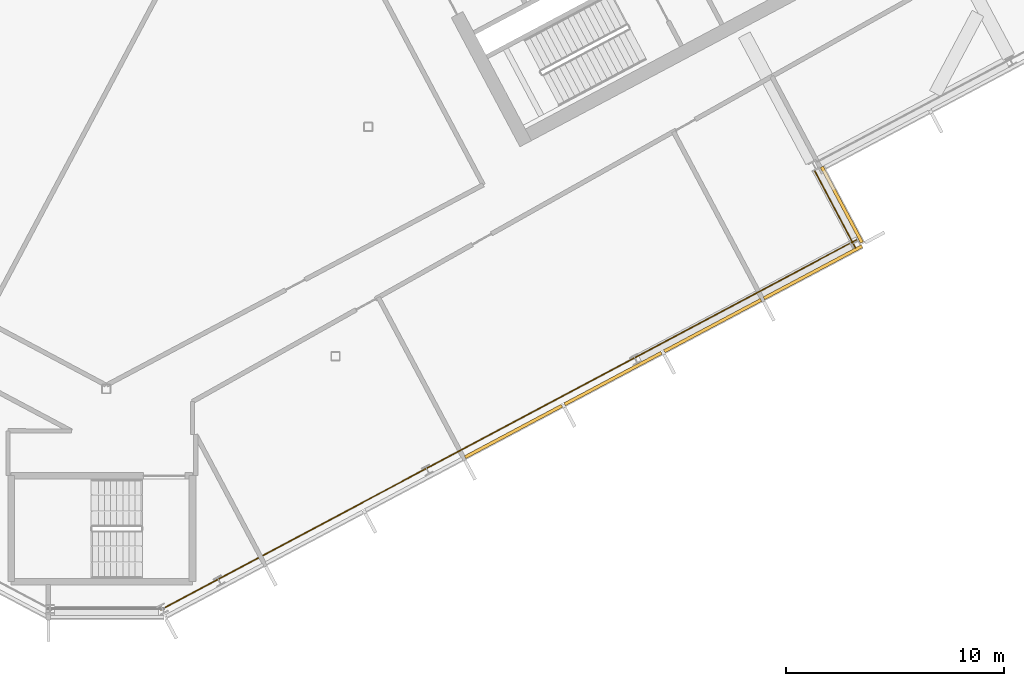
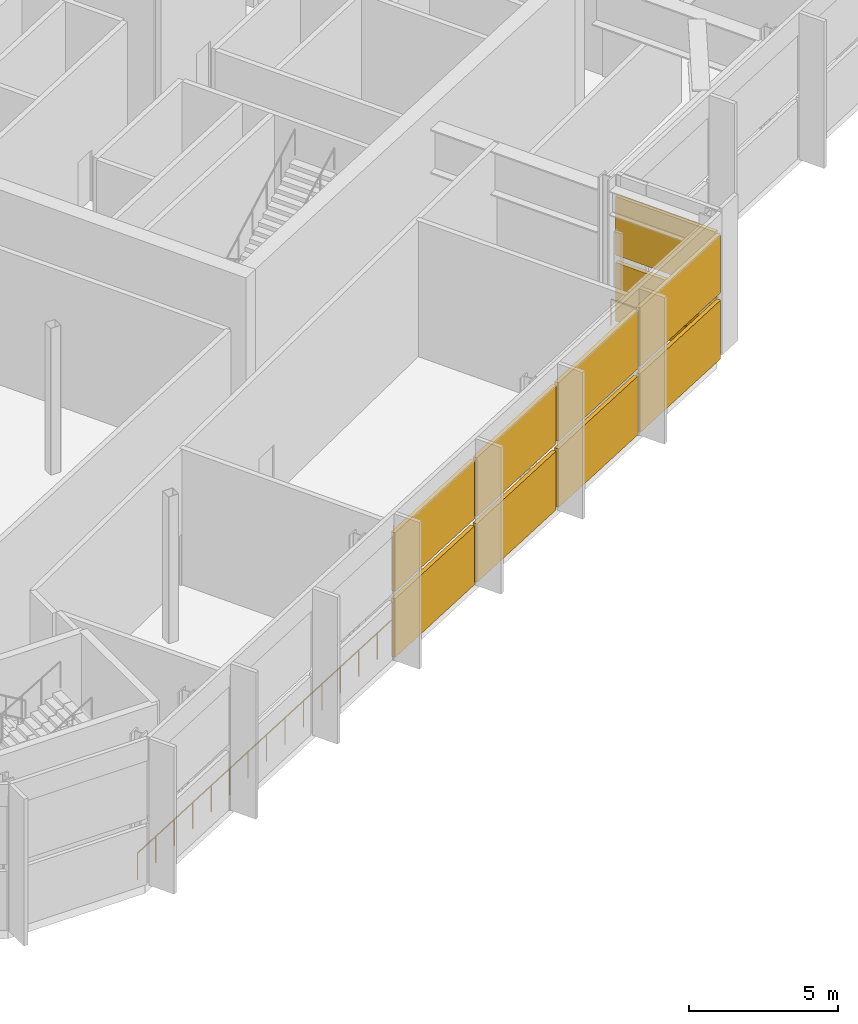
# One storey, part 29 of 33: 10 shading devices, 2 railings, 2 elements without a shape of their own.
"""IFC4 building model written with IfcOpenShell, lengths in metres."""

from ifc_helpers import new_model, si_unit, direction, frame, origin, origin_2d, place, context, subcontext, project, spatial, polyline, rectangle, outline, extrude, material, layer, layer_set, type_object, element, aggregate, save


model = new_model("IFC4")

# Units and contexts
model_context = context("Model", 3, precision=1e-05, world=origin(), true_north=direction((0.0, 1.0)))
body_context = subcontext(model_context, "Body", "Model", "MODEL_VIEW")
ifc_project = project(units=[si_unit("LENGTHUNIT", "METRE"), si_unit("AREAUNIT", "SQUARE_METRE"), si_unit("VOLUMEUNIT", "CUBIC_METRE"), si_unit("PLANEANGLEUNIT", "RADIAN"), si_unit("MASSUNIT", "GRAM", prefix="KILO")], contexts=[model_context])

# Site, building, storey
site_placement = place(None, origin())
site = spatial("IfcSite", under=ifc_project, at=site_placement, CompositionType="ELEMENT")
building_placement = place(site_placement, origin())
building = spatial("IfcBuilding", under=site, at=building_placement, Name="Cormorant Relay Tower", CompositionType="ELEMENT")
storey_placement = place(building_placement, frame((0.0, 0.0, 252.0)))
storey = spatial("IfcBuildingStorey", under=building, at=storey_placement, Name="L56", CompositionType="ELEMENT", Elevation=252.0)

# Railings
ifc_material_1 = material(Name="Stainless steel 316 guard", Category="steel")
railing_type = type_object("IfcRailingType", Name="Band louvre guard 1100", PredefinedType="GUARDRAIL", material=ifc_material_1)
railing_1_placement = place(storey_placement, frame((2.508056640625, -22.110595703125, 0.0)))
element("IfcRailing", 1, at=railing_1_placement, inside=storey, type_object=railing_type, Name="CW4 guard 2", PredefinedType="GUARDRAIL", context=body_context, shape_type="SweptSolid", body=[
    extrude(outline(polyline([(0.022216796875, 0.00927734375), (0.00927734375, 0.022216796875), (-0.00927734375, 0.022216796875), (-0.022216796875, 0.00927734375), (-0.022216796875, -0.00927734375), (-0.00927734375, -0.022216796875), (0.00927734375, -0.022216796875), (0.022216796875, -0.00927734375), (0.022216796875, 0.00927734375)])), frame((0.0, 0.0, 1.076171875), z_axis=(0.882948899141, 0.469469106018, 0.0), x_axis=(-0.469469106018, 0.882948899141, 0.0)), (0.0, 0.0, 1.0), 36.165771484375),
    extrude(outline(polyline([(0.019287109375, 0.008056640625), (0.008056640625, 0.019287109375), (-0.008056640625, 0.019287109375), (-0.019287109375, 0.008056640625), (-0.019287109375, -0.008056640625), (-0.008056640625, -0.019287109375), (0.008056640625, -0.019287109375), (0.019287109375, -0.008056640625), (0.019287109375, 0.008056640625)])), origin(), (0.0, 0.0, 1.0), 1.052001953125),
    extrude(outline(polyline([(0.019287109375, 0.008056640625), (0.008056640625, 0.019287109375), (-0.008056640625, 0.019287109375), (-0.019287109375, 0.008056640625), (-0.019287109375, -0.008056640625), (-0.008056640625, -0.019287109375), (0.008056640625, -0.019287109375), (0.019287109375, -0.008056640625), (0.019287109375, 0.008056640625)])), frame((1.030029296875, 0.547607421875, 0.0)), (0.0, 0.0, 1.0), 1.052001953125),
    extrude(outline(polyline([(0.019287109375, 0.008056640625), (0.008056640625, 0.019287109375), (-0.008056640625, 0.019287109375), (-0.019287109375, 0.008056640625), (-0.019287109375, -0.008056640625), (-0.008056640625, -0.019287109375), (0.008056640625, -0.019287109375), (0.019287109375, -0.008056640625), (0.019287109375, 0.008056640625)])), frame((2.06005859375, 1.095458984375, 0.0)), (0.0, 0.0, 1.0), 1.052001953125),
    extrude(outline(polyline([(0.019287109375, 0.008056640625), (0.008056640625, 0.019287109375), (-0.008056640625, 0.019287109375), (-0.019287109375, 0.008056640625), (-0.019287109375, -0.008056640625), (-0.008056640625, -0.019287109375), (0.008056640625, -0.019287109375), (0.019287109375, -0.008056640625), (0.019287109375, 0.008056640625)])), frame((3.09033203125, 1.64306640625, 0.0)), (0.0, 0.0, 1.0), 1.052001953125),
    extrude(outline(polyline([(0.019287109375, 0.008056640625), (0.008056640625, 0.019287109375), (-0.008056640625, 0.019287109375), (-0.019287109375, 0.008056640625), (-0.019287109375, -0.008056640625), (-0.008056640625, -0.019287109375), (0.008056640625, -0.019287109375), (0.019287109375, -0.008056640625), (0.019287109375, 0.008056640625)])), frame((4.120361328125, 2.19091796875, 0.0)), (0.0, 0.0, 1.0), 1.052001953125),
    extrude(outline(polyline([(0.019287109375, 0.008056640625), (0.008056640625, 0.019287109375), (-0.008056640625, 0.019287109375), (-0.019287109375, 0.008056640625), (-0.019287109375, -0.008056640625), (-0.008056640625, -0.019287109375), (0.008056640625, -0.019287109375), (0.019287109375, -0.008056640625), (0.019287109375, 0.008056640625)])), frame((5.150390625, 2.738525390625, 0.0)), (0.0, 0.0, 1.0), 1.052001953125),
    extrude(outline(polyline([(0.019287109375, 0.008056640625), (0.008056640625, 0.019287109375), (-0.008056640625, 0.019287109375), (-0.019287109375, 0.008056640625), (-0.019287109375, -0.008056640625), (-0.008056640625, -0.019287109375), (0.008056640625, -0.019287109375), (0.019287109375, -0.008056640625), (0.019287109375, 0.008056640625)])), frame((6.180419921875, 3.2861328125, 0.0)), (0.0, 0.0, 1.0), 1.052001953125),
    extrude(outline(polyline([(0.019287109375, 0.008056640625), (0.008056640625, 0.019287109375), (-0.008056640625, 0.019287109375), (-0.019287109375, 0.008056640625), (-0.019287109375, -0.008056640625), (-0.008056640625, -0.019287109375), (0.008056640625, -0.019287109375), (0.019287109375, -0.008056640625), (0.019287109375, 0.008056640625)])), frame((7.210693359375, 3.833984375, 0.0)), (0.0, 0.0, 1.0), 1.052001953125),
    extrude(outline(polyline([(0.019287109375, 0.008056640625), (0.008056640625, 0.019287109375), (-0.008056640625, 0.019287109375), (-0.019287109375, 0.008056640625), (-0.019287109375, -0.008056640625), (-0.008056640625, -0.019287109375), (0.008056640625, -0.019287109375), (0.019287109375, -0.008056640625), (0.019287109375, 0.008056640625)])), frame((8.24072265625, 4.381591796875, 0.0)), (0.0, 0.0, 1.0), 1.052001953125),
    extrude(outline(polyline([(0.019287109375, 0.008056640625), (0.008056640625, 0.019287109375), (-0.008056640625, 0.019287109375), (-0.019287109375, 0.008056640625), (-0.019287109375, -0.008056640625), (-0.008056640625, -0.019287109375), (0.008056640625, -0.019287109375), (0.019287109375, -0.008056640625), (0.019287109375, 0.008056640625)])), frame((9.270751953125, 4.92919921875, 0.0)), (0.0, 0.0, 1.0), 1.052001953125),
    extrude(outline(polyline([(0.019287109375, 0.008056640625), (0.008056640625, 0.019287109375), (-0.008056640625, 0.019287109375), (-0.019287109375, 0.008056640625), (-0.019287109375, -0.008056640625), (-0.008056640625, -0.019287109375), (0.008056640625, -0.019287109375), (0.019287109375, -0.008056640625), (0.019287109375, 0.008056640625)])), frame((10.30078125, 5.47705078125, 0.0)), (0.0, 0.0, 1.0), 1.052001953125),
    extrude(outline(polyline([(0.019287109375, 0.008056640625), (0.008056640625, 0.019287109375), (-0.008056640625, 0.019287109375), (-0.019287109375, 0.008056640625), (-0.019287109375, -0.008056640625), (-0.008056640625, -0.019287109375), (0.008056640625, -0.019287109375), (0.019287109375, -0.008056640625), (0.019287109375, 0.008056640625)])), frame((11.330810546875, 6.024658203125, 0.0)), (0.0, 0.0, 1.0), 1.052001953125),
    extrude(outline(polyline([(0.019287109375, 0.008056640625), (0.008056640625, 0.019287109375), (-0.008056640625, 0.019287109375), (-0.019287109375, 0.008056640625), (-0.019287109375, -0.008056640625), (-0.008056640625, -0.019287109375), (0.008056640625, -0.019287109375), (0.019287109375, -0.008056640625), (0.019287109375, 0.008056640625)])), frame((12.361083984375, 6.572509765625, 0.0)), (0.0, 0.0, 1.0), 1.052001953125),
    extrude(outline(polyline([(0.019287109375, 0.008056640625), (0.008056640625, 0.019287109375), (-0.008056640625, 0.019287109375), (-0.019287109375, 0.008056640625), (-0.019287109375, -0.008056640625), (-0.008056640625, -0.019287109375), (0.008056640625, -0.019287109375), (0.019287109375, -0.008056640625), (0.019287109375, 0.008056640625)])), frame((13.39111328125, 7.1201171875, 0.0)), (0.0, 0.0, 1.0), 1.052001953125),
    extrude(outline(polyline([(0.019287109375, 0.008056640625), (0.008056640625, 0.019287109375), (-0.008056640625, 0.019287109375), (-0.019287109375, 0.008056640625), (-0.019287109375, -0.008056640625), (-0.008056640625, -0.019287109375), (0.008056640625, -0.019287109375), (0.019287109375, -0.008056640625), (0.019287109375, 0.008056640625)])), frame((14.421142578125, 7.667724609375, 0.0)), (0.0, 0.0, 1.0), 1.052001953125),
    extrude(outline(polyline([(0.019287109375, 0.008056640625), (0.008056640625, 0.019287109375), (-0.008056640625, 0.019287109375), (-0.019287109375, 0.008056640625), (-0.019287109375, -0.008056640625), (-0.008056640625, -0.019287109375), (0.008056640625, -0.019287109375), (0.019287109375, -0.008056640625), (0.019287109375, 0.008056640625)])), frame((15.451171875, 8.215576171875, 0.0)), (0.0, 0.0, 1.0), 1.052001953125),
    extrude(outline(polyline([(0.019287109375, 0.008056640625), (0.008056640625, 0.019287109375), (-0.008056640625, 0.019287109375), (-0.019287109375, 0.008056640625), (-0.019287109375, -0.008056640625), (-0.008056640625, -0.019287109375), (0.008056640625, -0.019287109375), (0.019287109375, -0.008056640625), (0.019287109375, 0.008056640625)])), frame((16.4814453125, 8.76318359375, 0.0)), (0.0, 0.0, 1.0), 1.052001953125),
    extrude(outline(polyline([(0.019287109375, 0.008056640625), (0.008056640625, 0.019287109375), (-0.008056640625, 0.019287109375), (-0.019287109375, 0.008056640625), (-0.019287109375, -0.008056640625), (-0.008056640625, -0.019287109375), (0.008056640625, -0.019287109375), (0.019287109375, -0.008056640625), (0.019287109375, 0.008056640625)])), frame((17.511474609375, 9.31103515625, 0.0)), (0.0, 0.0, 1.0), 1.052001953125),
    extrude(outline(polyline([(0.019287109375, 0.008056640625), (0.008056640625, 0.019287109375), (-0.008056640625, 0.019287109375), (-0.019287109375, 0.008056640625), (-0.019287109375, -0.008056640625), (-0.008056640625, -0.019287109375), (0.008056640625, -0.019287109375), (0.019287109375, -0.008056640625), (0.019287109375, 0.008056640625)])), frame((18.54150390625, 9.858642578125, 0.0)), (0.0, 0.0, 1.0), 1.052001953125),
    extrude(outline(polyline([(0.019287109375, 0.008056640625), (0.008056640625, 0.019287109375), (-0.008056640625, 0.019287109375), (-0.019287109375, 0.008056640625), (-0.019287109375, -0.008056640625), (-0.008056640625, -0.019287109375), (0.008056640625, -0.019287109375), (0.019287109375, -0.008056640625), (0.019287109375, 0.008056640625)])), frame((19.571533203125, 10.40625, 0.0)), (0.0, 0.0, 1.0), 1.052001953125),
    extrude(outline(polyline([(0.019287109375, 0.008056640625), (0.008056640625, 0.019287109375), (-0.008056640625, 0.019287109375), (-0.019287109375, 0.008056640625), (-0.019287109375, -0.008056640625), (-0.008056640625, -0.019287109375), (0.008056640625, -0.019287109375), (0.019287109375, -0.008056640625), (0.019287109375, 0.008056640625)])), frame((20.601806640625, 10.9541015625, 0.0)), (0.0, 0.0, 1.0), 1.052001953125),
    extrude(outline(polyline([(0.019287109375, 0.008056640625), (0.008056640625, 0.019287109375), (-0.008056640625, 0.019287109375), (-0.019287109375, 0.008056640625), (-0.019287109375, -0.008056640625), (-0.008056640625, -0.019287109375), (0.008056640625, -0.019287109375), (0.019287109375, -0.008056640625), (0.019287109375, 0.008056640625)])), frame((21.6318359375, 11.501708984375, 0.0)), (0.0, 0.0, 1.0), 1.052001953125),
    extrude(outline(polyline([(0.019287109375, 0.008056640625), (0.008056640625, 0.019287109375), (-0.008056640625, 0.019287109375), (-0.019287109375, 0.008056640625), (-0.019287109375, -0.008056640625), (-0.008056640625, -0.019287109375), (0.008056640625, -0.019287109375), (0.019287109375, -0.008056640625), (0.019287109375, 0.008056640625)])), frame((22.661865234375, 12.049560546875, 0.0)), (0.0, 0.0, 1.0), 1.052001953125),
    extrude(outline(polyline([(0.019287109375, 0.008056640625), (0.008056640625, 0.019287109375), (-0.008056640625, 0.019287109375), (-0.019287109375, 0.008056640625), (-0.019287109375, -0.008056640625), (-0.008056640625, -0.019287109375), (0.008056640625, -0.019287109375), (0.019287109375, -0.008056640625), (0.019287109375, 0.008056640625)])), frame((23.69189453125, 12.59716796875, 0.0)), (0.0, 0.0, 1.0), 1.052001953125),
    extrude(outline(polyline([(0.019287109375, 0.008056640625), (0.008056640625, 0.019287109375), (-0.008056640625, 0.019287109375), (-0.019287109375, 0.008056640625), (-0.019287109375, -0.008056640625), (-0.008056640625, -0.019287109375), (0.008056640625, -0.019287109375), (0.019287109375, -0.008056640625), (0.019287109375, 0.008056640625)])), frame((24.721923828125, 13.144775390625, 0.0)), (0.0, 0.0, 1.0), 1.052001953125),
    extrude(outline(polyline([(0.019287109375, 0.008056640625), (0.008056640625, 0.019287109375), (-0.008056640625, 0.019287109375), (-0.019287109375, 0.008056640625), (-0.019287109375, -0.008056640625), (-0.008056640625, -0.019287109375), (0.008056640625, -0.019287109375), (0.019287109375, -0.008056640625), (0.019287109375, 0.008056640625)])), frame((25.752197265625, 13.692626953125, 0.0)), (0.0, 0.0, 1.0), 1.052001953125),
    extrude(outline(polyline([(0.019287109375, 0.008056640625), (0.008056640625, 0.019287109375), (-0.008056640625, 0.019287109375), (-0.019287109375, 0.008056640625), (-0.019287109375, -0.008056640625), (-0.008056640625, -0.019287109375), (0.008056640625, -0.019287109375), (0.019287109375, -0.008056640625), (0.019287109375, 0.008056640625)])), frame((26.7822265625, 14.240234375, 0.0)), (0.0, 0.0, 1.0), 1.052001953125),
    extrude(outline(polyline([(0.019287109375, 0.008056640625), (0.008056640625, 0.019287109375), (-0.008056640625, 0.019287109375), (-0.019287109375, 0.008056640625), (-0.019287109375, -0.008056640625), (-0.008056640625, -0.019287109375), (0.008056640625, -0.019287109375), (0.019287109375, -0.008056640625), (0.019287109375, 0.008056640625)])), frame((27.812255859375, 14.787841796875, 0.0)), (0.0, 0.0, 1.0), 1.052001953125),
    extrude(outline(polyline([(0.019287109375, 0.008056640625), (0.008056640625, 0.019287109375), (-0.008056640625, 0.019287109375), (-0.019287109375, 0.008056640625), (-0.019287109375, -0.008056640625), (-0.008056640625, -0.019287109375), (0.008056640625, -0.019287109375), (0.019287109375, -0.008056640625), (0.019287109375, 0.008056640625)])), frame((28.84228515625, 15.335693359375, 0.0)), (0.0, 0.0, 1.0), 1.052001953125),
    extrude(outline(polyline([(0.019287109375, 0.008056640625), (0.008056640625, 0.019287109375), (-0.008056640625, 0.019287109375), (-0.019287109375, 0.008056640625), (-0.019287109375, -0.008056640625), (-0.008056640625, -0.019287109375), (0.008056640625, -0.019287109375), (0.019287109375, -0.008056640625), (0.019287109375, 0.008056640625)])), frame((29.87255859375, 15.88330078125, 0.0)), (0.0, 0.0, 1.0), 1.052001953125),
    extrude(outline(polyline([(0.019287109375, 0.008056640625), (0.008056640625, 0.019287109375), (-0.008056640625, 0.019287109375), (-0.019287109375, 0.008056640625), (-0.019287109375, -0.008056640625), (-0.008056640625, -0.019287109375), (0.008056640625, -0.019287109375), (0.019287109375, -0.008056640625), (0.019287109375, 0.008056640625)])), frame((30.902587890625, 16.43115234375, 0.0)), (0.0, 0.0, 1.0), 1.052001953125),
    extrude(outline(polyline([(0.019287109375, 0.008056640625), (0.008056640625, 0.019287109375), (-0.008056640625, 0.019287109375), (-0.019287109375, 0.008056640625), (-0.019287109375, -0.008056640625), (-0.008056640625, -0.019287109375), (0.008056640625, -0.019287109375), (0.019287109375, -0.008056640625), (0.019287109375, 0.008056640625)])), frame((31.9326171875, 16.978759765625, 0.0)), (0.0, 0.0, 1.0), 1.052001953125),
])
railing_2_placement = place(storey_placement, frame((34.316650390625, -5.53759765625, 0.0)))
element("IfcRailing", 2, at=railing_2_placement, inside=storey, type_object=railing_type, Name="CW4 guard 3", PredefinedType="GUARDRAIL", context=body_context, shape_type="SweptSolid", body=[
    extrude(outline(polyline([(0.022216796875, 0.00927734375), (0.00927734375, 0.022216796875), (-0.00927734375, 0.022216796875), (-0.022216796875, 0.00927734375), (-0.022216796875, -0.00927734375), (-0.00927734375, -0.022216796875), (0.00927734375, -0.022216796875), (0.022216796875, -0.00927734375), (0.022216796875, 0.00927734375)])), frame((0.0, 0.0, 1.076171875), z_axis=(-0.469460126868, 0.882953673349, 0.0), x_axis=(-0.882953673349, -0.469460126868, 0.0)), (0.0, 0.0, 1.0), 4.000244140625),
    extrude(outline(polyline([(0.019287109375, 0.008056640625), (0.008056640625, 0.019287109375), (-0.008056640625, 0.019287109375), (-0.019287109375, 0.008056640625), (-0.019287109375, -0.008056640625), (-0.008056640625, -0.019287109375), (0.008056640625, -0.019287109375), (0.019287109375, -0.008056640625), (0.019287109375, 0.008056640625)])), origin(), (0.0, 0.0, 1.0), 1.052001953125),
    extrude(outline(polyline([(0.019287109375, 0.008056640625), (0.008056640625, 0.019287109375), (-0.008056640625, 0.019287109375), (-0.019287109375, 0.008056640625), (-0.019287109375, -0.008056640625), (-0.008056640625, -0.019287109375), (0.008056640625, -0.019287109375), (0.019287109375, -0.008056640625), (0.019287109375, 0.008056640625)])), frame((-0.469482421875, 0.883056640625, 0.0)), (0.0, 0.0, 1.0), 1.052001953125),
    extrude(outline(polyline([(0.019287109375, 0.008056640625), (0.008056640625, 0.019287109375), (-0.008056640625, 0.019287109375), (-0.019287109375, 0.008056640625), (-0.019287109375, -0.008056640625), (-0.008056640625, -0.019287109375), (0.008056640625, -0.019287109375), (0.019287109375, -0.008056640625), (0.019287109375, 0.008056640625)])), frame((-0.93896484375, 1.76611328125, 0.0)), (0.0, 0.0, 1.0), 1.052001953125),
    extrude(outline(polyline([(0.019287109375, 0.008056640625), (0.008056640625, 0.019287109375), (-0.008056640625, 0.019287109375), (-0.019287109375, 0.008056640625), (-0.019287109375, -0.008056640625), (-0.008056640625, -0.019287109375), (0.008056640625, -0.019287109375), (0.019287109375, -0.008056640625), (0.019287109375, 0.008056640625)])), frame((-1.408447265625, 2.64892578125, 0.0)), (0.0, 0.0, 1.0), 1.052001953125),
    extrude(outline(polyline([(0.019287109375, 0.008056640625), (0.008056640625, 0.019287109375), (-0.008056640625, 0.019287109375), (-0.019287109375, 0.008056640625), (-0.019287109375, -0.008056640625), (-0.008056640625, -0.019287109375), (0.008056640625, -0.019287109375), (0.019287109375, -0.008056640625), (0.019287109375, 0.008056640625)])), frame((-1.8779296875, 3.531982421875, 0.0)), (0.0, 0.0, 1.0), 1.052001953125),
])

# Curtain wall, shading devices
ifc_material_2 = material(Name="Aluminium 6063-T6 anodised bronze", Category="aluminium")
ifc_layer = layer(ifc_material_2, 0.199951171875)
ifc_layer_set = layer_set([ifc_layer], Name="CW4 band louvre wall")
curtain_wall_type = type_object("IfcCurtainWallType", Name="CW4 band louvre wall", PredefinedType="NOTDEFINED", material=ifc_layer_set)
curtain_wall_1_placement = place(storey_placement, origin())
curtain_wall_1 = element("IfcCurtainWall", 3, at=curtain_wall_1_placement, inside=storey, type_object=curtain_wall_type, Name="CW4 curtain wall 2", PredefinedType="NOTDEFINED")
ifc_material_3 = material(Name="Aluminium 6063-T6 anodised bronze louvre", Category="aluminium")
shading_device_type = type_object("IfcShadingDeviceType", Name="CW4 bronze louvre bank 150 x 2400", PredefinedType="USERDEFINED", material=ifc_material_3)
shading_device_1_placement = place(storey_placement, frame((18.650390625, -13.952392578125, 2.699951171875), z_axis=(0.0, 0.0, 1.0), x_axis=(0.882947592859, 0.469471562786, 0.0)))
shading_device_1 = element("IfcShadingDevice", 4, at=shading_device_1_placement, type_object=shading_device_type, Name="CW4 louvre bank U2.4", ObjectType="LOUVRE", PredefinedType="USERDEFINED", context=body_context, shape_type="SweptSolid", body=[
    extrude(rectangle(XDim=5.0166015625, YDim=0.14990234375, at=origin_2d()), origin(), (0.0, 0.0, 1.0), 2.39990234375),
])
shading_device_2_placement = place(storey_placement, frame((18.650390625, -13.952392578125, 0.0), z_axis=(0.0, 0.0, 1.0), x_axis=(0.882947592859, 0.469471562786, 0.0)))
shading_device_2 = element("IfcShadingDevice", 5, at=shading_device_2_placement, type_object=shading_device_type, Name="CW4 louvre bank D2.4", ObjectType="LOUVRE", PredefinedType="USERDEFINED", context=body_context, shape_type="SweptSolid", body=[
    extrude(rectangle(XDim=5.0166015625, YDim=0.14990234375, at=origin_2d()), origin(), (0.0, 0.0, 1.0), 2.39990234375),
])
shading_device_3_placement = place(storey_placement, frame((23.212158203125, -11.52685546875, 2.699951171875), z_axis=(0.0, 0.0, 1.0), x_axis=(0.882947592859, 0.469471562786, 0.0)))
shading_device_3 = element("IfcShadingDevice", 6, at=shading_device_3_placement, type_object=shading_device_type, Name="CW4 louvre bank U2.5", ObjectType="LOUVRE", PredefinedType="USERDEFINED", context=body_context, shape_type="SweptSolid", body=[
    extrude(rectangle(XDim=5.0166015625, YDim=0.14990234375, at=origin_2d()), origin(), (0.0, 0.0, 1.0), 2.39990234375),
])
shading_device_4_placement = place(storey_placement, frame((23.212158203125, -11.52685546875, 0.0), z_axis=(0.0, 0.0, 1.0), x_axis=(0.882947592859, 0.469471562786, 0.0)))
shading_device_4 = element("IfcShadingDevice", 7, at=shading_device_4_placement, type_object=shading_device_type, Name="CW4 louvre bank D2.5", ObjectType="LOUVRE", PredefinedType="USERDEFINED", context=body_context, shape_type="SweptSolid", body=[
    extrude(rectangle(XDim=5.0166015625, YDim=0.14990234375, at=origin_2d()), origin(), (0.0, 0.0, 1.0), 2.39990234375),
])
shading_device_5_placement = place(storey_placement, frame((27.77392578125, -9.101318359375, 2.699951171875), z_axis=(0.0, 0.0, 1.0), x_axis=(0.882947592859, 0.469471562786, 0.0)))
shading_device_5 = element("IfcShadingDevice", 8, at=shading_device_5_placement, type_object=shading_device_type, Name="CW4 louvre bank U2.6", ObjectType="LOUVRE", PredefinedType="USERDEFINED", context=body_context, shape_type="SweptSolid", body=[
    extrude(rectangle(XDim=5.0166015625, YDim=0.14990234375, at=origin_2d()), origin(), (0.0, 0.0, 1.0), 2.39990234375),
])
shading_device_6_placement = place(storey_placement, frame((27.77392578125, -9.101318359375, 0.0), z_axis=(0.0, 0.0, 1.0), x_axis=(0.882947592859, 0.469471562786, 0.0)))
shading_device_6 = element("IfcShadingDevice", 9, at=shading_device_6_placement, type_object=shading_device_type, Name="CW4 louvre bank D2.6", ObjectType="LOUVRE", PredefinedType="USERDEFINED", context=body_context, shape_type="SweptSolid", body=[
    extrude(rectangle(XDim=5.0166015625, YDim=0.14990234375, at=origin_2d()), origin(), (0.0, 0.0, 1.0), 2.39990234375),
])
shading_device_7_placement = place(storey_placement, frame((32.368896484375, -6.658203125, 2.699951171875), z_axis=(0.0, 0.0, 1.0), x_axis=(0.882947592859, 0.469471562786, 0.0)))
shading_device_7 = element("IfcShadingDevice", 10, at=shading_device_7_placement, type_object=shading_device_type, Name="CW4 louvre bank U2.7", ObjectType="LOUVRE", PredefinedType="USERDEFINED", context=body_context, shape_type="SweptSolid", body=[
    extrude(rectangle(XDim=5.091552734375, YDim=0.14990234375, at=origin_2d()), origin(), (0.0, 0.0, 1.0), 2.39990234375),
])
shading_device_8_placement = place(storey_placement, frame((32.368896484375, -6.658203125, 0.0), z_axis=(0.0, 0.0, 1.0), x_axis=(0.882947592859, 0.469471562786, 0.0)))
shading_device_8 = element("IfcShadingDevice", 11, at=shading_device_8_placement, type_object=shading_device_type, Name="CW4 louvre bank D2.7", ObjectType="LOUVRE", PredefinedType="USERDEFINED", context=body_context, shape_type="SweptSolid", body=[
    extrude(rectangle(XDim=5.091552734375, YDim=0.14990234375, at=origin_2d()), origin(), (0.0, 0.0, 1.0), 2.39990234375),
])
aggregate(curtain_wall_1, [shading_device_1, shading_device_2, shading_device_3, shading_device_4, shading_device_5, shading_device_6, shading_device_7, shading_device_8])

curtain_wall_2_placement = place(storey_placement, origin())
curtain_wall_2 = element("IfcCurtainWall", 12, at=curtain_wall_2_placement, inside=storey, type_object=curtain_wall_type, Name="CW4 curtain wall 3", PredefinedType="NOTDEFINED")
shading_device_9_placement = place(storey_placement, frame((33.691162109375, -3.5625, 2.699951171875), z_axis=(0.0, 0.0, 1.0), x_axis=(-0.469471562786, 0.882947592859, 0.0)))
shading_device_9 = element("IfcShadingDevice", 13, at=shading_device_9_placement, type_object=shading_device_type, Name="CW4 louvre bank U3.1", ObjectType="LOUVRE", PredefinedType="USERDEFINED", context=body_context, shape_type="SweptSolid", body=[
    extrude(rectangle(XDim=3.925048828125, YDim=0.14990234375, at=origin_2d()), origin(), (0.0, 0.0, 1.0), 2.39990234375),
])
shading_device_10_placement = place(storey_placement, frame((33.691162109375, -3.5625, 0.0), z_axis=(0.0, 0.0, 1.0), x_axis=(-0.469471562786, 0.882947592859, 0.0)))
shading_device_10 = element("IfcShadingDevice", 14, at=shading_device_10_placement, type_object=shading_device_type, Name="CW4 louvre bank D3.1", ObjectType="LOUVRE", PredefinedType="USERDEFINED", context=body_context, shape_type="SweptSolid", body=[
    extrude(rectangle(XDim=3.925048828125, YDim=0.14990234375, at=origin_2d()), origin(), (0.0, 0.0, 1.0), 2.39990234375),
])
aggregate(curtain_wall_2, [shading_device_9, shading_device_10])

save(model, "model.ifc")
